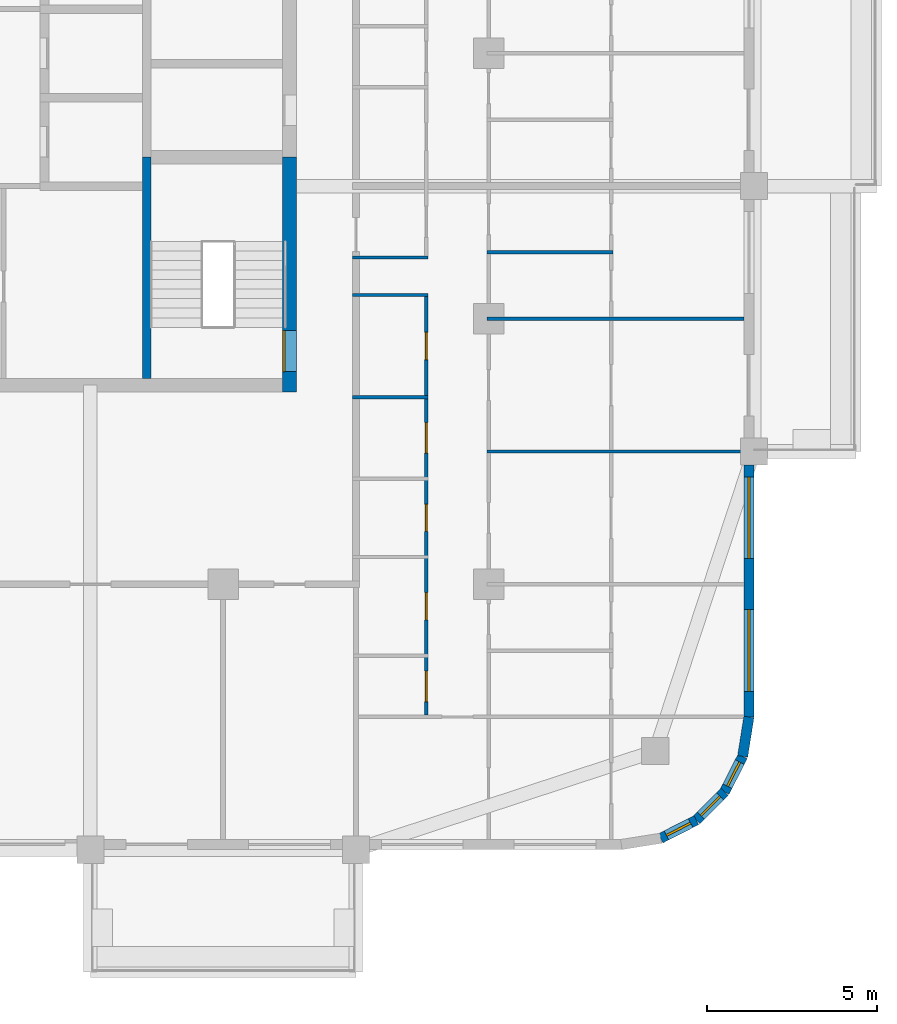
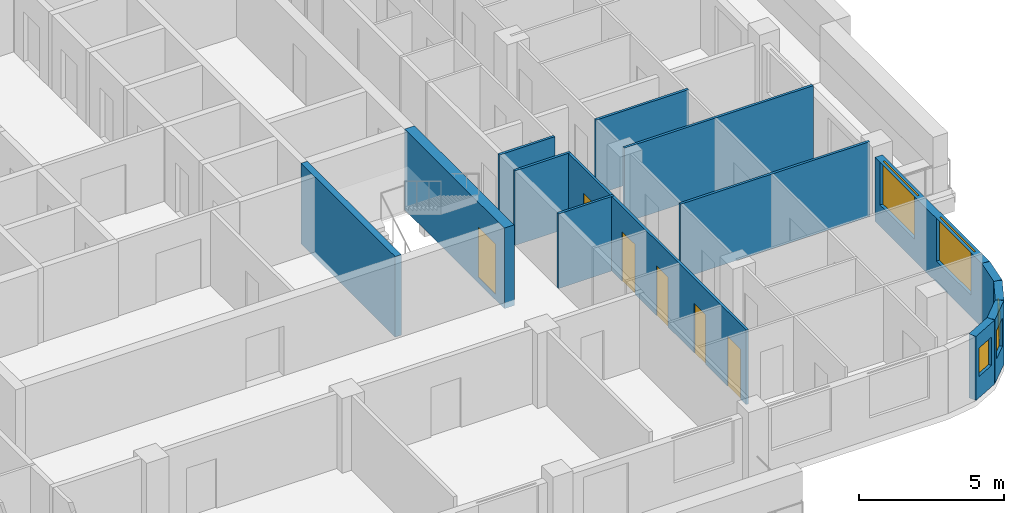
# One storey, part 6 of 17: 14 walls, 6 doors, 5 windows, 11 openings.
"""IFC4 building model written with IfcOpenShell, lengths in metres."""

from ifc_helpers import new_model, si_unit, direction, frame, frame_2d, origin, place, context, subcontext, project, spatial, rectangle, extrude, material, layer, layer_set, type_object, element, fill, save


model = new_model("IFC4")

# Units and contexts
model_context = context("Model", 3, precision=1e-05, world=origin(), true_north=direction((0.0, 1.0)))
body_context = subcontext(model_context, "Body", "Model", "MODEL_VIEW")
ifc_project = project(units=[si_unit("LENGTHUNIT", "METRE"), si_unit("AREAUNIT", "SQUARE_METRE"), si_unit("VOLUMEUNIT", "CUBIC_METRE"), si_unit("PLANEANGLEUNIT", "RADIAN"), si_unit("MASSUNIT", "GRAM", prefix="KILO")], contexts=[model_context])

# Site, building, storey
site_placement = place(None, origin())
site = spatial("IfcSite", under=ifc_project, at=site_placement, CompositionType="ELEMENT")
building_placement = place(site_placement, origin())
building = spatial("IfcBuilding", under=site, at=building_placement, Name="Ludao Terraces", CompositionType="ELEMENT")
storey_placement = place(building_placement, frame((0.0, 0.0, 231.300048828125)))
storey = spatial("IfcBuildingStorey", under=building, at=storey_placement, Name="L63", CompositionType="ELEMENT", Elevation=231.300048828125)

# Wall, opening, door
ifc_material_1 = material(Name="Concrete C50", Category="concrete")
ifc_layer_1 = layer(ifc_material_1, 0.39990234375)
ifc_layer_set_1 = layer_set([ifc_layer_1], Name="Core wall 400 C50")
wall_type_1 = type_object("IfcWallType", Name="Core wall 400 C50", PredefinedType="SOLIDWALL", material=ifc_layer_set_1)
wall_1_placement = place(storey_placement, frame((94.75, 55.050048828125, -0.25), z_axis=(0.0, 0.0, 1.0), x_axis=(0.0, 1.0, 0.0)))
wall_1 = element("IfcWall", 1, at=wall_1_placement, inside=storey, type_object=wall_type_1, Name="Core wall L63 outer-E-S3", PredefinedType="SOLIDWALL", context=body_context, shape_type="SweptSolid", body=[
    extrude(rectangle(XDim=6.89990234375, YDim=0.39990234375, at=frame_2d((3.449951171875, 0.0))), origin(), (0.0, 0.0, 1.0), 3.39990234375),
])
opening_1_placement = place(wall_1_placement, frame((0.60009765625, 0.0, 0.25)))
opening_1 = element("IfcOpeningElement", 2, at=opening_1_placement, cuts=wall_1, Name="Opening R22-033", PredefinedType="OPENING", context=body_context, shape_type="SweptSolid", body=[
    extrude(rectangle(XDim=1.199951171875, YDim=2.10009765625, at=frame_2d((0.60009765625, 1.050048828125))), frame((0.0, 0.2099609375, 0.0), z_axis=(0.0, -1.0, 0.0), x_axis=(1.0, 0.0, 0.0)), (0.0, 0.0, 1.0), 0.419921875),
])
ifc_material_2 = material(Name="Steel Q235", Category="steel")
door_type_1 = type_object("IfcDoorType", Name="INT Stair door 1200", OperationType="DOUBLE_DOOR_SINGLE_SWING", PredefinedType="DOOR", material=ifc_material_2)
door_1_placement = place(opening_1_placement, origin())
door_1 = element("IfcDoor", 3, at=door_1_placement, inside=storey, type_object=door_type_1, Name="DOOR 033", OperationType="DOUBLE_DOOR_SINGLE_SWING", OverallHeight=2.10009765625, OverallWidth=1.199951171875, PredefinedType="DOOR", context=body_context, shape_type="SweptSolid", body=[
    extrude(rectangle(XDim=1.199951171875, YDim=2.10009765625, at=frame_2d((0.60009765625, 1.050048828125))), frame((0.0, 0.18505859375, 0.0), z_axis=(0.0, -1.0, 0.0), x_axis=(1.0, 0.0, 0.0)), (0.0, 0.0, 1.0), 0.050048828125),
])
fill(opening_1, door_1)

# Wall, openings, windows
ifc_material_3 = material(Name="Granite cladding", Category="masonry")
ifc_layer_2 = layer(ifc_material_3, 0.0400390625, Category="stone")
ifc_material_4 = material(Name="Mineral wool")
ifc_layer_3 = layer(ifc_material_4, 0.06005859375)
ifc_material_5 = material(Name="Concrete C40", Category="concrete")
ifc_layer_4 = layer(ifc_material_5, 0.199951171875, Category="concrete")
ifc_layer_set_2 = layer_set([ifc_layer_2, ifc_layer_3, ifc_layer_4], Name="ENV Stone-clad wall 300")
wall_type_2 = type_object("IfcWallType", Name="ENV Stone-clad wall 300", PredefinedType="SOLIDWALL", material=ifc_layer_set_2)
wall_2_placement = place(storey_placement, frame((108.25, 45.5, 0.0), z_axis=(0.0, 0.0, 1.0), x_axis=(0.0, 1.0, 0.0)))
wall_2 = element("IfcWall", 4, at=wall_2_placement, inside=storey, type_object=wall_type_2, Name="EW-L63-E1", PredefinedType="SOLIDWALL", context=body_context, shape_type="SweptSolid", body=[
    extrude(rectangle(XDim=7.39990234375, YDim=0.300048828125, at=frame_2d((3.699951171875, 0.0))), origin(), (0.0, 0.0, 1.0), 2.699951171875),
])
opening_2_placement = place(wall_2_placement, frame((0.75, 0.0, 0.89990234375)))
opening_2 = element("IfcOpeningElement", 5, at=opening_2_placement, cuts=wall_2, Name="Opening W1", PredefinedType="OPENING", context=body_context, shape_type="SweptSolid", body=[
    extrude(rectangle(XDim=2.39990234375, YDim=1.800048828125, at=frame_2d((1.199951171875, 0.89990234375))), frame((0.0, 0.16015625, 0.0), z_axis=(0.0, -1.0, 0.0), x_axis=(1.0, 0.0, 0.0)), (0.0, 0.0, 1.0), 0.320068359375),
])
opening_3_placement = place(wall_2_placement, frame((4.64990234375, 0.0, 0.89990234375)))
opening_3 = element("IfcOpeningElement", 6, at=opening_3_placement, cuts=wall_2, Name="Opening W1", PredefinedType="OPENING", context=body_context, shape_type="SweptSolid", body=[
    extrude(rectangle(XDim=2.39990234375, YDim=1.800048828125, at=frame_2d((1.199951171875, 0.89990234375))), frame((0.0, 0.16015625, 0.0), z_axis=(0.0, -1.0, 0.0), x_axis=(1.0, 0.0, 0.0)), (0.0, 0.0, 1.0), 0.320068359375),
])
ifc_material_6 = material(Name="Clear glass in aluminium frame", Category="aluminium")
ifc_layer_5 = layer(ifc_material_6, 0.06005859375)
ifc_layer_set_3 = layer_set([ifc_layer_5], Name="ENV Window W1 2400x1800")
window_type_1 = type_object("IfcWindowType", Name="ENV Window W1 2400x1800", PartitioningType="DOUBLE_PANEL_VERTICAL", PredefinedType="WINDOW", material=ifc_layer_set_3)
window_1_placement = place(opening_2_placement, origin())
window_1 = element("IfcWindow", 7, at=window_1_placement, inside=storey, type_object=window_type_1, Name="W-L63-E1-1", OverallHeight=1.800048828125, OverallWidth=2.39990234375, PartitioningType="DOUBLE_PANEL_VERTICAL", PredefinedType="WINDOW", context=body_context, shape_type="SweptSolid", body=[
    extrude(rectangle(XDim=2.39990234375, YDim=1.800048828125, at=frame_2d((1.199951171875, 0.89990234375))), frame((0.0, 0.030029296875, 0.0), z_axis=(0.0, -1.0, 0.0), x_axis=(1.0, 0.0, 0.0)), (0.0, 0.0, 1.0), 0.06005859375),
])
fill(opening_2, window_1)
window_2_placement = place(opening_3_placement, origin())
window_2 = element("IfcWindow", 8, at=window_2_placement, inside=storey, type_object=window_type_1, Name="W-L63-E1-2", OverallHeight=1.800048828125, OverallWidth=2.39990234375, PartitioningType="DOUBLE_PANEL_VERTICAL", PredefinedType="WINDOW", context=body_context, shape_type="SweptSolid", body=[
    extrude(rectangle(XDim=2.39990234375, YDim=1.800048828125, at=frame_2d((1.199951171875, 0.89990234375))), frame((0.0, 0.030029296875, 0.0), z_axis=(0.0, -1.0, 0.0), x_axis=(1.0, 0.0, 0.0)), (0.0, 0.0, 1.0), 0.06005859375),
])
fill(opening_3, window_2)

# Wall, opening, window
wall_3_placement = place(storey_placement, frame((105.65869140625, 41.93359375, 0.0), z_axis=(0.0, 0.0, 1.0), x_axis=(0.890988677504, 0.454025524128, 0.0)))
wall_3 = element("IfcWall", 9, at=wall_3_placement, inside=storey, type_object=wall_type_2, Name="EW-L63-SE2", PredefinedType="SOLIDWALL", context=body_context, shape_type="SweptSolid", body=[
    extrude(rectangle(XDim=1.17333984375, YDim=0.300048828125, at=frame_2d((0.586669921875, 0.0))), origin(), (0.0, 0.0, 1.0), 2.699951171875),
])
opening_4_placement = place(wall_3_placement, frame((0.1865234375, 0.0, 0.89990234375)))
opening_4 = element("IfcOpeningElement", 10, at=opening_4_placement, cuts=wall_3, Name="Opening W3", PredefinedType="OPENING", context=body_context, shape_type="SweptSolid", body=[
    extrude(rectangle(XDim=0.800048828125, YDim=1.199951171875, at=frame_2d((0.39990234375, 0.60009765625))), frame((0.0, 0.16015625, 0.0), z_axis=(0.0, -1.0, 0.0), x_axis=(1.0, 0.0, 0.0)), (0.0, 0.0, 1.0), 0.320068359375),
])
ifc_layer_6 = layer(ifc_material_6, 0.06005859375)
ifc_layer_set_4 = layer_set([ifc_layer_6], Name="ENV Window W3 800x1200")
window_type_2 = type_object("IfcWindowType", Name="ENV Window W3 800x1200", PartitioningType="SINGLE_PANEL", PredefinedType="WINDOW", material=ifc_layer_set_4)
window_3_placement = place(opening_4_placement, origin())
window_3 = element("IfcWindow", 11, at=window_3_placement, inside=storey, type_object=window_type_2, Name="W-L63-SE2", OverallHeight=1.199951171875, OverallWidth=0.800048828125, PartitioningType="SINGLE_PANEL", PredefinedType="WINDOW", context=body_context, shape_type="SweptSolid", body=[
    extrude(rectangle(XDim=0.800048828125, YDim=1.199951171875, at=frame_2d((0.39990234375, 0.60009765625))), frame((0.0, 0.030029296875, 0.0), z_axis=(0.0, -1.0, 0.0), x_axis=(1.0, 0.0, 0.0)), (0.0, 0.0, 1.0), 0.06005859375),
])
fill(opening_4, window_3)

wall_4_placement = place(storey_placement, frame((106.7041015625, 42.46630859375, 0.0), z_axis=(0.0, 0.0, 1.0), x_axis=(0.707106781187, 0.707106781187, 0.0)))
wall_4 = element("IfcWall", 12, at=wall_4_placement, inside=storey, type_object=wall_type_2, Name="EW-L63-SE3", PredefinedType="SOLIDWALL", context=body_context, shape_type="SweptSolid", body=[
    extrude(rectangle(XDim=1.173095703125, YDim=0.300048828125, at=frame_2d((0.58642578125, 0.0))), origin(), (0.0, 0.0, 1.0), 2.699951171875),
])
opening_5_placement = place(wall_4_placement, frame((0.1865234375, 0.0, 0.89990234375)))
opening_5 = element("IfcOpeningElement", 13, at=opening_5_placement, cuts=wall_4, Name="Opening W3", PredefinedType="OPENING", context=body_context, shape_type="SweptSolid", body=[
    extrude(rectangle(XDim=0.800048828125, YDim=1.199951171875, at=frame_2d((0.39990234375, 0.60009765625))), frame((0.0, 0.16015625, 0.0), z_axis=(0.0, -1.0, 0.0), x_axis=(1.0, 0.0, 0.0)), (0.0, 0.0, 1.0), 0.320068359375),
])
window_4_placement = place(opening_5_placement, origin())
window_4 = element("IfcWindow", 14, at=window_4_placement, inside=storey, type_object=window_type_2, Name="W-L63-SE3", OverallHeight=1.199951171875, OverallWidth=0.800048828125, PartitioningType="SINGLE_PANEL", PredefinedType="WINDOW", context=body_context, shape_type="SweptSolid", body=[
    extrude(rectangle(XDim=0.800048828125, YDim=1.199951171875, at=frame_2d((0.39990234375, 0.60009765625))), frame((0.0, 0.030029296875, 0.0), z_axis=(0.0, -1.0, 0.0), x_axis=(1.0, 0.0, 0.0)), (0.0, 0.0, 1.0), 0.06005859375),
])
fill(opening_5, window_4)

wall_5_placement = place(storey_placement, frame((107.53369140625, 43.2958984375, 0.0), z_axis=(0.0, 0.0, 1.0), x_axis=(0.454025524128, 0.890988677504, 0.0)))
wall_5 = element("IfcWall", 15, at=wall_5_placement, inside=storey, type_object=wall_type_2, Name="EW-L63-SE4", PredefinedType="SOLIDWALL", context=body_context, shape_type="SweptSolid", body=[
    extrude(rectangle(XDim=1.17333984375, YDim=0.300048828125, at=frame_2d((0.586669921875, 0.0))), origin(), (0.0, 0.0, 1.0), 2.699951171875),
])
opening_6_placement = place(wall_5_placement, frame((0.1865234375, 0.0, 0.89990234375)))
opening_6 = element("IfcOpeningElement", 16, at=opening_6_placement, cuts=wall_5, Name="Opening W3", PredefinedType="OPENING", context=body_context, shape_type="SweptSolid", body=[
    extrude(rectangle(XDim=0.800048828125, YDim=1.199951171875, at=frame_2d((0.39990234375, 0.60009765625))), frame((0.0, 0.16015625, 0.0), z_axis=(0.0, -1.0, 0.0), x_axis=(1.0, 0.0, 0.0)), (0.0, 0.0, 1.0), 0.320068359375),
])
window_5_placement = place(opening_6_placement, origin())
window_5 = element("IfcWindow", 17, at=window_5_placement, inside=storey, type_object=window_type_2, Name="W-L63-SE4", OverallHeight=1.199951171875, OverallWidth=0.800048828125, PartitioningType="SINGLE_PANEL", PredefinedType="WINDOW", context=body_context, shape_type="SweptSolid", body=[
    extrude(rectangle(XDim=0.800048828125, YDim=1.199951171875, at=frame_2d((0.39990234375, 0.60009765625))), frame((0.0, 0.030029296875, 0.0), z_axis=(0.0, -1.0, 0.0), x_axis=(1.0, 0.0, 0.0)), (0.0, 0.0, 1.0), 0.06005859375),
])
fill(opening_6, window_5)

# Walls
wall_6_placement = place(storey_placement, frame((108.06640625, 44.34130859375, 0.0), z_axis=(0.0, 0.0, 1.0), x_axis=(0.156496880861, 0.987678452879, 0.0)))
element("IfcWall", 18, at=wall_6_placement, inside=storey, type_object=wall_type_2, Name="EW-L63-SE5", PredefinedType="SOLIDWALL", context=body_context, shape_type="SweptSolid", body=[
    extrude(rectangle(XDim=1.173095703125, YDim=0.300048828125, at=frame_2d((0.58642578125, 0.0))), origin(), (0.0, 0.0, 1.0), 2.699951171875),
])
ifc_material_7 = material(Name="Gypsum plasterboard", Category="gypsum")
ifc_layer_7 = layer(ifc_material_7, 0.012451171875, Category="gypsum")
ifc_layer_8 = layer(ifc_material_4, 0.06005859375, Name="insulation")
ifc_layer_9 = layer(ifc_material_2, 0.014892578125, Name="stud")
ifc_layer_10 = layer(ifc_material_7, 0.012451171875, Category="gypsum")
ifc_layer_set_5 = layer_set([ifc_layer_7, ifc_layer_8, ifc_layer_9, ifc_layer_10], Name="INT Partition 100")
wall_type_3 = type_object("IfcWallType", Name="INT Partition 100", PredefinedType="PARTITIONING", material=ifc_layer_set_5)
wall_7_placement = place(storey_placement, frame((100.550048828125, 53.300048828125, 0.0), z_axis=(0.0, 0.0, 1.0), x_axis=(1.0, 0.0, 0.0)))
element("IfcWall", 19, at=wall_7_placement, inside=storey, type_object=wall_type_3, Name="PW-L63-PW012", PredefinedType="PARTITIONING", context=body_context, shape_type="SweptSolid", body=[
    extrude(rectangle(XDim=7.550048828125, YDim=0.10009765625, at=frame_2d((3.77490234375, 0.0))), origin(), (0.0, 0.0, 1.0), 3.14990234375),
])
wall_8_placement = place(storey_placement, frame((96.60009765625, 54.89990234375, 0.0), z_axis=(0.0, 0.0, 1.0), x_axis=(1.0, 0.0, 0.0)))
element("IfcWall", 20, at=wall_8_placement, inside=storey, type_object=wall_type_3, Name="PW-L63-PW014", PredefinedType="PARTITIONING", context=body_context, shape_type="SweptSolid", body=[
    extrude(rectangle(XDim=2.219970703125, YDim=0.10009765625, at=frame_2d((1.10986328125, 0.0))), origin(), (0.0, 0.0, 1.0), 3.14990234375),
])
wall_9_placement = place(storey_placement, frame((100.550048828125, 57.199951171875, 0.0), z_axis=(0.0, 0.0, 1.0), x_axis=(1.0, 0.0, 0.0)))
element("IfcWall", 21, at=wall_9_placement, inside=storey, type_object=wall_type_3, Name="PW-L63-PW018", PredefinedType="PARTITIONING", context=body_context, shape_type="SweptSolid", body=[
    extrude(rectangle(XDim=7.550048828125, YDim=0.10009765625, at=frame_2d((3.77490234375, 0.0))), origin(), (0.0, 0.0, 1.0), 3.14990234375),
])
for number, where, z_axis, x_axis, name in (
    (22, (96.60009765625, 57.89990234375, 0.0), (0.0, 0.0, 1.0), (1.0, 0.0, 0.0), "PW-L63-PW020"),
    (23, (96.60009765625, 59.0, 0.0), (0.0, 0.0, 1.0), (1.0, 0.0, 0.0), "PW-L63-PW021"),
):
    element("IfcWall", number, at=place(storey_placement, frame(where, z_axis=z_axis, x_axis=x_axis)), inside=storey, type_object=wall_type_3, Name=name, PredefinedType="PARTITIONING", context=body_context, shape_type="SweptSolid", body=[
        extrude(rectangle(XDim=2.219970703125, YDim=0.10009765625, at=frame_2d((1.10986328125, 0.0))), origin(), (0.0, 0.0, 1.0), 3.14990234375),
    ])
wall_10_placement = place(storey_placement, frame((100.550048828125, 59.14990234375, 0.0), z_axis=(0.0, 0.0, 1.0), x_axis=(1.0, 0.0, 0.0)))
element("IfcWall", 24, at=wall_10_placement, inside=storey, type_object=wall_type_3, Name="PW-L63-PW023", PredefinedType="PARTITIONING", context=body_context, shape_type="SweptSolid", body=[
    extrude(rectangle(XDim=3.699951171875, YDim=0.10009765625, at=frame_2d((1.85009765625, 0.0))), origin(), (0.0, 0.0, 1.0), 3.14990234375),
])

# Wall, openings, doors
wall_11_placement = place(storey_placement, frame((98.77001953125, 45.550048828125, 0.0), z_axis=(0.0, 0.0, 1.0), x_axis=(0.0, 1.0, 0.0)))
wall_11 = element("IfcWall", 25, at=wall_11_placement, inside=storey, type_object=wall_type_3, Name="PW-L63-PW091", PredefinedType="PARTITIONING", context=body_context, shape_type="SweptSolid", body=[
    extrude(rectangle(XDim=12.300048828125, YDim=0.10009765625, at=frame_2d((6.14990234375, 0.0))), origin(), (0.0, 0.0, 1.0), 3.14990234375),
])
opening_7_placement = place(wall_11_placement, frame((0.39990234375, 0.0, 0.0)))
opening_7 = element("IfcOpeningElement", 26, at=opening_7_placement, cuts=wall_11, Name="Opening R22-007", PredefinedType="OPENING", context=body_context, shape_type="SweptSolid", body=[
    extrude(rectangle(XDim=0.89990234375, YDim=2.10009765625, at=frame_2d((0.449951171875, 1.050048828125))), frame((0.0, 0.06005859375, 0.0), z_axis=(0.0, -1.0, 0.0), x_axis=(1.0, 0.0, 0.0)), (0.0, 0.0, 1.0), 0.1201171875),
])
opening_8_placement = place(wall_11_placement, frame((2.800048828125, 0.0, 0.0)))
opening_8 = element("IfcOpeningElement", 27, at=opening_8_placement, cuts=wall_11, Name="Opening R22-014", PredefinedType="OPENING", context=body_context, shape_type="SweptSolid", body=[
    extrude(rectangle(XDim=0.800048828125, YDim=2.10009765625, at=frame_2d((0.39990234375, 1.050048828125))), frame((0.0, 0.06005859375, 0.0), z_axis=(0.0, -1.0, 0.0), x_axis=(1.0, 0.0, 0.0)), (0.0, 0.0, 1.0), 0.1201171875),
])
opening_9_placement = place(wall_11_placement, frame((5.39990234375, 0.0, 0.0)))
opening_9 = element("IfcOpeningElement", 28, at=opening_9_placement, cuts=wall_11, Name="Opening R22-021", PredefinedType="OPENING", context=body_context, shape_type="SweptSolid", body=[
    extrude(rectangle(XDim=0.800048828125, YDim=2.10009765625, at=frame_2d((0.39990234375, 1.050048828125))), frame((0.0, 0.06005859375, 0.0), z_axis=(0.0, -1.0, 0.0), x_axis=(1.0, 0.0, 0.0)), (0.0, 0.0, 1.0), 0.1201171875),
])
opening_10_placement = place(wall_11_placement, frame((7.699951171875, 0.0, 0.0)))
opening_10 = element("IfcOpeningElement", 29, at=opening_10_placement, cuts=wall_11, Name="Opening R22-026", PredefinedType="OPENING", context=body_context, shape_type="SweptSolid", body=[
    extrude(rectangle(XDim=0.89990234375, YDim=2.10009765625, at=frame_2d((0.449951171875, 1.050048828125))), frame((0.0, 0.06005859375, 0.0), z_axis=(0.0, -1.0, 0.0), x_axis=(1.0, 0.0, 0.0)), (0.0, 0.0, 1.0), 0.1201171875),
])
opening_11_placement = place(wall_11_placement, frame((10.449951171875, 0.0, 0.0)))
opening_11 = element("IfcOpeningElement", 30, at=opening_11_placement, cuts=wall_11, Name="Opening R22-035", PredefinedType="OPENING", context=body_context, shape_type="SweptSolid", body=[
    extrude(rectangle(XDim=0.800048828125, YDim=2.10009765625, at=frame_2d((0.39990234375, 1.050048828125))), frame((0.0, 0.06005859375, 0.0), z_axis=(0.0, -1.0, 0.0), x_axis=(1.0, 0.0, 0.0)), (0.0, 0.0, 1.0), 0.1201171875),
])
ifc_material_8 = material(Name="Timber door leaf", Category="wood")
door_type_2 = type_object("IfcDoorType", Name="INT Bathroom door 900", OperationType="SINGLE_SWING_LEFT", PredefinedType="DOOR", material=ifc_material_8)
door_2_placement = place(opening_7_placement, origin())
door_2 = element("IfcDoor", 31, at=door_2_placement, inside=storey, type_object=door_type_2, Name="DOOR 007", OperationType="SINGLE_SWING_LEFT", OverallHeight=2.10009765625, OverallWidth=0.89990234375, PredefinedType="DOOR", context=body_context, shape_type="SweptSolid", body=[
    extrude(rectangle(XDim=0.89990234375, YDim=2.10009765625, at=frame_2d((0.449951171875, 1.050048828125))), frame((0.0, 0.02490234375, 0.0), z_axis=(0.0, -1.0, 0.0), x_axis=(1.0, 0.0, 0.0)), (0.0, 0.0, 1.0), 0.050048828125),
])
fill(opening_7, door_2)
door_3_placement = place(opening_10_placement, origin())
door_3 = element("IfcDoor", 32, at=door_3_placement, inside=storey, type_object=door_type_2, Name="DOOR 026", OperationType="SINGLE_SWING_LEFT", OverallHeight=2.10009765625, OverallWidth=0.89990234375, PredefinedType="DOOR", context=body_context, shape_type="SweptSolid", body=[
    extrude(rectangle(XDim=0.89990234375, YDim=2.10009765625, at=frame_2d((0.449951171875, 1.050048828125))), frame((0.0, 0.02490234375, 0.0), z_axis=(0.0, -1.0, 0.0), x_axis=(1.0, 0.0, 0.0)), (0.0, 0.0, 1.0), 0.050048828125),
])
fill(opening_10, door_3)
door_type_3 = type_object("IfcDoorType", Name="INT Store door 800", OperationType="SINGLE_SWING_LEFT", PredefinedType="DOOR", material=ifc_material_8)
door_4_placement = place(opening_8_placement, origin())
door_4 = element("IfcDoor", 33, at=door_4_placement, inside=storey, type_object=door_type_3, Name="DOOR 014", OperationType="SINGLE_SWING_LEFT", OverallHeight=2.10009765625, OverallWidth=0.800048828125, PredefinedType="DOOR", context=body_context, shape_type="SweptSolid", body=[
    extrude(rectangle(XDim=0.800048828125, YDim=2.10009765625, at=frame_2d((0.39990234375, 1.050048828125))), frame((0.0, 0.02490234375, 0.0), z_axis=(0.0, -1.0, 0.0), x_axis=(1.0, 0.0, 0.0)), (0.0, 0.0, 1.0), 0.050048828125),
])
fill(opening_8, door_4)
door_5_placement = place(opening_9_placement, origin())
door_5 = element("IfcDoor", 34, at=door_5_placement, inside=storey, type_object=door_type_3, Name="DOOR 021", OperationType="SINGLE_SWING_LEFT", OverallHeight=2.10009765625, OverallWidth=0.800048828125, PredefinedType="DOOR", context=body_context, shape_type="SweptSolid", body=[
    extrude(rectangle(XDim=0.800048828125, YDim=2.10009765625, at=frame_2d((0.39990234375, 1.050048828125))), frame((0.0, 0.02490234375, 0.0), z_axis=(0.0, -1.0, 0.0), x_axis=(1.0, 0.0, 0.0)), (0.0, 0.0, 1.0), 0.050048828125),
])
fill(opening_9, door_5)
door_6_placement = place(opening_11_placement, origin())
door_6 = element("IfcDoor", 35, at=door_6_placement, inside=storey, type_object=door_type_3, Name="DOOR 035", OperationType="SINGLE_SWING_LEFT", OverallHeight=2.10009765625, OverallWidth=0.800048828125, PredefinedType="DOOR", context=body_context, shape_type="SweptSolid", body=[
    extrude(rectangle(XDim=0.800048828125, YDim=2.10009765625, at=frame_2d((0.39990234375, 1.050048828125))), frame((0.0, 0.02490234375, 0.0), z_axis=(0.0, -1.0, 0.0), x_axis=(1.0, 0.0, 0.0)), (0.0, 0.0, 1.0), 0.050048828125),
])
fill(opening_11, door_6)

# Wall
ifc_layer_11 = layer(ifc_material_1, 0.25)
ifc_layer_set_6 = layer_set([ifc_layer_11], Name="Shaft wall 250 C50")
wall_type_4 = type_object("IfcWallType", Name="Shaft wall 250 C50", PredefinedType="SOLIDWALL", material=ifc_layer_set_6)
wall_12_placement = place(storey_placement, frame((90.550048828125, 55.449951171875, -0.25), z_axis=(0.0, 0.0, 1.0), x_axis=(0.0, 1.0, 0.0)))
element("IfcWall", 36, at=wall_12_placement, inside=storey, type_object=wall_type_4, Name="Core wall L63 back-E-S3", PredefinedType="SOLIDWALL", context=body_context, shape_type="SweptSolid", body=[
    extrude(rectangle(XDim=6.5, YDim=0.25, at=frame_2d((3.25, 0.0))), origin(), (0.0, 0.0, 1.0), 3.39990234375),
])

save(model, "model.ifc")
